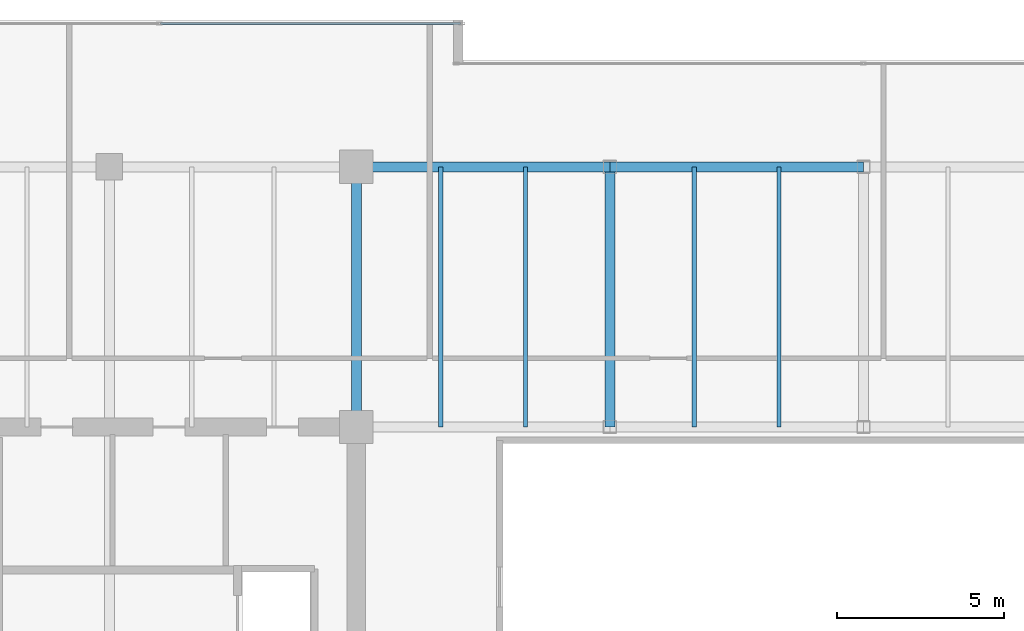
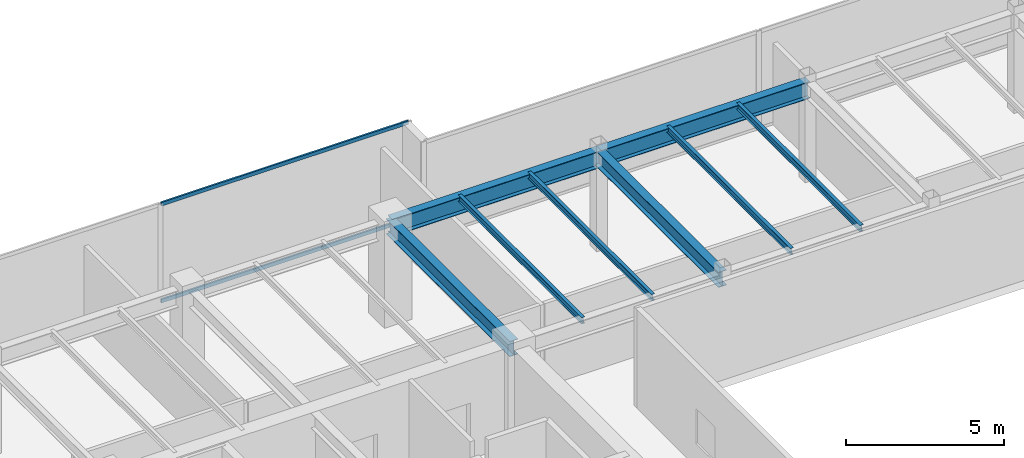
# One storey, part 16 of 33: 8 beams, 2 members, 1 element without a shape of its own.
"""IFC4 building model written with IfcOpenShell, lengths in metres."""

from ifc_helpers import new_model, si_unit, direction, frame, origin, origin_2d, place, context, subcontext, project, spatial, hollow_rectangle, i_section, extrude, source, transform, mapped, material, layer, layer_set, material_profile, profile_set, type_object, type_shapes, element, aggregate, save


model = new_model("IFC4")

# Units and contexts
model_context = context("Model", 3, precision=1e-05, world=origin(), true_north=direction((0.0, 1.0)))
body_context = subcontext(model_context, "Body", "Model", "MODEL_VIEW")
ifc_project = project(units=[si_unit("LENGTHUNIT", "METRE"), si_unit("AREAUNIT", "SQUARE_METRE"), si_unit("VOLUMEUNIT", "CUBIC_METRE"), si_unit("PLANEANGLEUNIT", "RADIAN"), si_unit("MASSUNIT", "GRAM", prefix="KILO")], contexts=[model_context])

# Site, building, storey
site_placement = place(None, origin())
site = spatial("IfcSite", under=ifc_project, at=site_placement, CompositionType="ELEMENT")
building_placement = place(site_placement, origin())
building = spatial("IfcBuilding", under=site, at=building_placement, Name="Haelvirn Gate Laboratories", CompositionType="ELEMENT")
storey_placement = place(building_placement, frame((0.0, 0.0, 271.10009765625)))
storey = spatial("IfcBuildingStorey", under=building, at=storey_placement, Name="L65", CompositionType="ELEMENT", Elevation=271.10009765625)

# Beams
ifc_material_1 = material(Name="Steel SM355", Category="steel")
ifc_material_profile_1 = material_profile(ifc_material_1, i_section(OverallWidth=0.300048828125, OverallDepth=0.587890625, WebThickness=0.011962890625, FlangeThickness=0.02001953125, at=origin_2d()), Name="H-588x300x12x20")
ifc_profile_set_1 = profile_set([ifc_material_profile_1], Name="Steel SM355")
beam_type_1 = type_object("IfcBeamType", Name="BM-G-588", PredefinedType="BEAM", material=ifc_profile_set_1)
shared_shape_1 = source(origin(), body_context, "Body", "SweptSolid", [
    extrude(i_section(OverallWidth=0.300048828125, OverallDepth=0.587890625, WebThickness=0.011962890625, FlangeThickness=0.02001953125, at=origin_2d()), origin(), (0.0, 0.0, 1.0), 7.800048828125),
])
type_shapes(beam_type_1, [shared_shape_1])
for number, where, z_axis, x_axis, name in (
    (1, (22.199951171875, 33.800048828125, 3.505859375), (0.0, 1.0, 0.0), (-1.0, 0.0, 0.0), "L65 Frame Girder X22.2 (33.8-41.6)"),
    (2, (29.800048828125, 33.800048828125, 3.505859375), (0.0, 1.0, 0.0), (-1.0, 0.0, 0.0), "L65 Frame Girder X29.8 (33.8-41.6)"),
):
    element("IfcBeam", number, at=place(storey_placement, frame(where, z_axis=z_axis, x_axis=x_axis)), inside=storey, type_object=beam_type_1, Name=name, PredefinedType="BEAM", context=body_context, shape_type="MappedRepresentation", body=[
        mapped(shared_shape_1, transform((0.0, 0.0, 0.0), scale=1.0)),
    ])
ifc_material_profile_2 = material_profile(ifc_material_1, i_section(OverallWidth=0.300048828125, OverallDepth=0.64990234375, WebThickness=0.012939453125, FlangeThickness=0.02197265625, at=origin_2d()), Name="H-650x300x13x22")
ifc_profile_set_2 = profile_set([ifc_material_profile_2], Name="Steel SM355")
beam_type_2 = type_object("IfcBeamType", Name="BM-G-650", PredefinedType="BEAM", material=ifc_profile_set_2)
shared_shape_2 = source(origin(), body_context, "Body", "SweptSolid", [
    extrude(i_section(OverallWidth=0.300048828125, OverallDepth=0.64990234375, WebThickness=0.012939453125, FlangeThickness=0.02197265625, at=origin_2d()), origin(), (0.0, 0.0, 1.0), 7.60009765625),
])
beam_1_placement = place(storey_placement, frame((22.199951171875, 41.60009765625, 3.474853515625), z_axis=(1.0, 0.0, 0.0), x_axis=(0.0, 1.0, 0.0)))
element("IfcBeam", 3, at=beam_1_placement, inside=storey, type_object=beam_type_2, Name="L65 Primary Girder Y41.6 (22.2-29.8)", PredefinedType="BEAM", context=body_context, shape_type="MappedRepresentation", body=[
    mapped(shared_shape_2, transform((0.0, 0.0, 0.0), scale=1.0)),
])
shared_shape_3 = source(origin(), body_context, "Body", "SweptSolid", [
    extrude(i_section(OverallWidth=0.300048828125, OverallDepth=0.64990234375, WebThickness=0.012939453125, FlangeThickness=0.02197265625, at=origin_2d()), origin(), (0.0, 0.0, 1.0), 7.599853515625),
])
type_shapes(beam_type_2, [shared_shape_2, shared_shape_3])
beam_2_placement = place(storey_placement, frame((29.800048828125, 41.60009765625, 3.474853515625), z_axis=(1.0, 0.0, 0.0), x_axis=(0.0, 1.0, 0.0)))
element("IfcBeam", 4, at=beam_2_placement, inside=storey, type_object=beam_type_2, Name="L65 Primary Girder Y41.6 (29.8-37.4)", PredefinedType="BEAM", context=body_context, shape_type="MappedRepresentation", body=[
    mapped(shared_shape_3, transform((0.0, 0.0, 0.0), scale=1.0)),
])
ifc_material_profile_3 = material_profile(ifc_material_1, i_section(OverallWidth=0.125, OverallDepth=0.25, WebThickness=0.006103515625, FlangeThickness=0.009033203125, at=origin_2d()), Name="H-250x125x6x9")
ifc_profile_set_3 = profile_set([ifc_material_profile_3], Name="Steel SM355")
beam_type_3 = type_object("IfcBeamType", Name="BM-J-250", PredefinedType="JOIST", material=ifc_profile_set_3)
shared_shape_4 = source(origin(), body_context, "Body", "SweptSolid", [
    extrude(i_section(OverallWidth=0.125, OverallDepth=0.25, WebThickness=0.006103515625, FlangeThickness=0.009033203125, at=origin_2d()), origin(), (0.0, 0.0, 1.0), 7.800048828125),
])
type_shapes(beam_type_3, [shared_shape_4])
for number, where, z_axis, x_axis, name in (
    (5, (24.72998046875, 33.800048828125, 3.6748046875), (0.0, 1.0, 0.0), (-1.0, 0.0, 0.0), "L65 Composite Lab Joist North X24.73"),
    (6, (27.27001953125, 33.800048828125, 3.6748046875), (0.0, 1.0, 0.0), (-1.0, 0.0, 0.0), "L65 Composite Lab Joist North X27.27"),
    (7, (32.330078125, 33.800048828125, 3.6748046875), (0.0, 1.0, 0.0), (-1.0, 0.0, 0.0), "L65 Composite Lab Joist North X32.33"),
    (8, (34.8701171875, 33.800048828125, 3.6748046875), (0.0, 1.0, 0.0), (-1.0, 0.0, 0.0), "L65 Composite Lab Joist North X34.87"),
):
    element("IfcBeam", number, at=place(storey_placement, frame(where, z_axis=z_axis, x_axis=x_axis)), inside=storey, type_object=beam_type_3, Name=name, PredefinedType="JOIST", context=body_context, shape_type="MappedRepresentation", body=[
        mapped(shared_shape_4, transform((0.0, 0.0, 0.0), scale=1.0)),
    ])

# Curtain wall, members
ifc_material_2 = material(Name="Anodised bronze unitised aluminium & triple low-E glass", Category="aluminium")
ifc_layer = layer(ifc_material_2, 0.176025390625, Name="CW-SYS-4")
ifc_layer_set = layer_set([ifc_layer], Name="Anodised bronze unitised aluminium & triple low-E glass")
curtain_wall_type = type_object("IfcCurtainWallType", Name="CW-SYS-4", PredefinedType="NOTDEFINED", material=ifc_layer_set)
curtain_wall_placement = place(storey_placement, origin())
curtain_wall = element("IfcCurtainWall", 9, at=curtain_wall_placement, inside=storey, type_object=curtain_wall_type, Name="L65 Unitised Curtain Wall CW-L65-P0-E14-1", PredefinedType="NOTDEFINED")
ifc_material_3 = material(Name="Extruded aluminium 6063-T6 (anodised bronze)", Category="aluminium")
ifc_material_profile_4 = material_profile(ifc_material_3, hollow_rectangle(XDim=0.06494140625, YDim=0.139892578125, WallThickness=0.00390625, at=origin_2d()), Name="CWT-140x65x4")
ifc_profile_set_4 = profile_set([ifc_material_profile_4], Name="Extruded aluminium 6063-T6 (anodised bronze)")
member_type = type_object("IfcMemberType", Name="CWT-T140", PredefinedType="USERDEFINED", material=ifc_profile_set_4)
shared_shape_5 = source(origin(), body_context, "Body", "SweptSolid", [
    extrude(hollow_rectangle(XDim=0.06494140625, YDim=0.139892578125, WallThickness=0.00390625, at=origin_2d()), origin(), (0.0, 0.0, 1.0), 8.9951171875),
])
type_shapes(member_type, [shared_shape_5])
member_1_placement = place(storey_placement, frame((16.3349609375, 45.89990234375, 0.032470703125), z_axis=(1.0, 0.0, 0.0), x_axis=(0.0, 1.0, 0.0)))
member_1 = element("IfcMember", 10, at=member_1_placement, type_object=member_type, Name="CW4 transom 2.1", ObjectType="TRANSOM", PredefinedType="USERDEFINED", context=body_context, shape_type="MappedRepresentation", body=[
    mapped(shared_shape_5, transform((0.0, 0.0, 0.0), scale=1.0)),
])
member_2_placement = place(storey_placement, frame((16.3349609375, 45.89990234375, 3.767333984375), z_axis=(1.0, 0.0, 0.0), x_axis=(0.0, 1.0, 0.0)))
member_2 = element("IfcMember", 11, at=member_2_placement, type_object=member_type, Name="CW4 transom 2.2", ObjectType="TRANSOM", PredefinedType="USERDEFINED", context=body_context, shape_type="MappedRepresentation", body=[
    mapped(shared_shape_5, transform((0.0, 0.0, 0.0), scale=1.0)),
])
aggregate(curtain_wall, [member_1, member_2])

save(model, "model.ifc")
